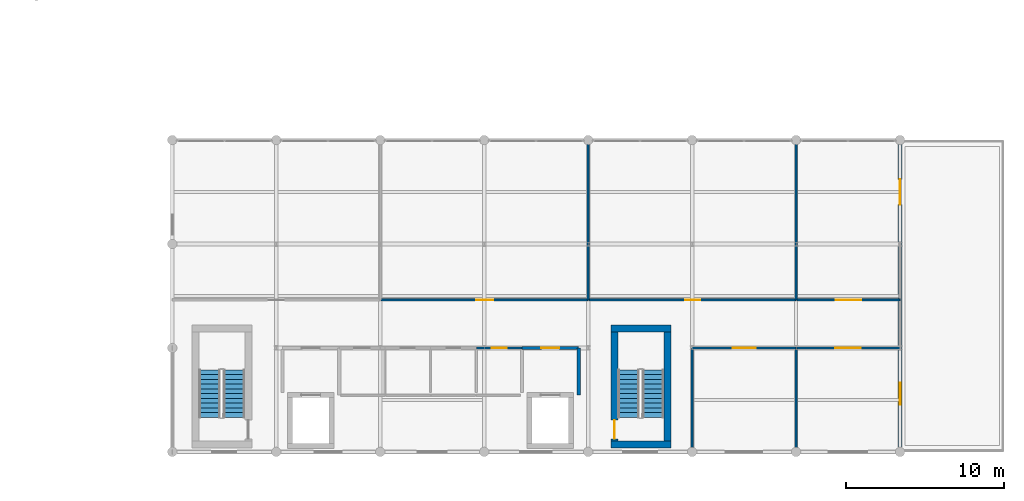
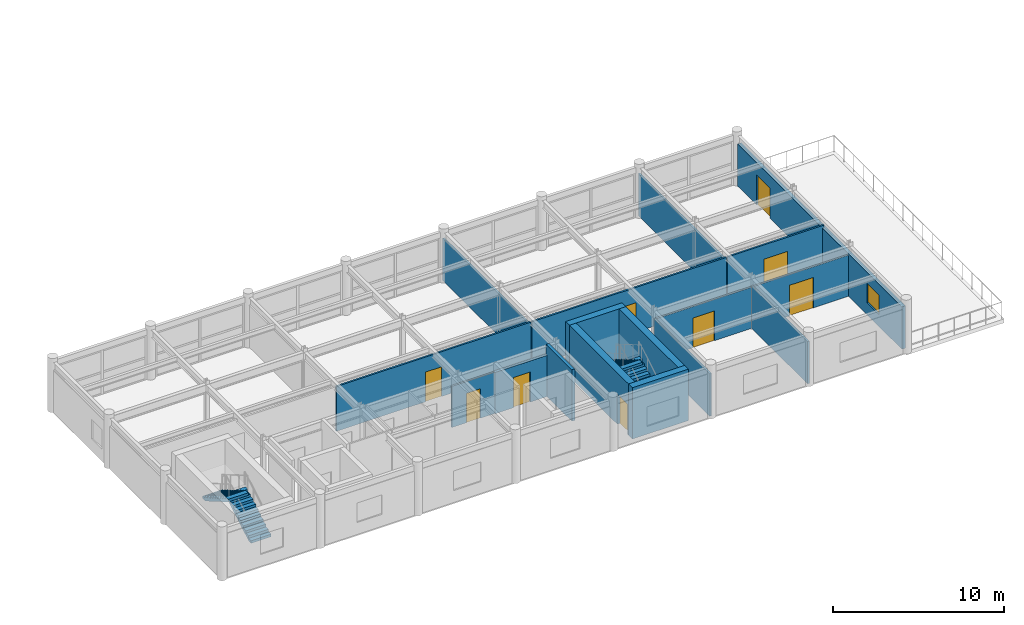
# One storey, part 26 of 28: 17 walls, 9 doors, 4 stair flights, 1 window, 10 openings, 2 elements without a shape of their own.
"""IFC4 building model written with IfcOpenShell, lengths in metres."""

from ifc_helpers import new_model, si_unit, direction, frame, frame_2d, origin, place, context, subcontext, project, spatial, polyline, rectangle, outline, extrude, material, layer, layer_set, type_object, element, fill, aggregate, save


model = new_model("IFC4")

# Units and contexts
model_context = context("Model", 3, precision=1e-05, world=origin(), true_north=direction((0.0, 1.0)))
body_context = subcontext(model_context, "Body", "Model", "MODEL_VIEW")
ifc_project = project(units=[si_unit("LENGTHUNIT", "METRE"), si_unit("AREAUNIT", "SQUARE_METRE"), si_unit("VOLUMEUNIT", "CUBIC_METRE"), si_unit("PLANEANGLEUNIT", "RADIAN"), si_unit("MASSUNIT", "GRAM", prefix="KILO")], contexts=[model_context])

# Site, building, storey
site_placement = place(None, origin())
site = spatial("IfcSite", under=ifc_project, at=site_placement, CompositionType="ELEMENT")
building_placement = place(site_placement, origin())
building = spatial("IfcBuilding", under=site, at=building_placement, Name="Karori Crest Natural Sciences Institute", CompositionType="ELEMENT")
storey_placement = place(building_placement, frame((0.0, 0.0, 34.300048828125)))
storey = spatial("IfcBuildingStorey", under=building, at=storey_placement, Name="L08", CompositionType="ELEMENT", Elevation=34.300048828125)

# Walls
ifc_material_1 = material(Name="Concrete 50 MPa", Category="concrete")
ifc_layer_1 = layer(ifc_material_1, 0.449951171875, Name="Concrete 50 MPa")
ifc_layer_set_1 = layer_set([ifc_layer_1], Name="Concrete 50 MPa")
wall_type_1 = type_object("IfcWallType", Name="IWT-01", PredefinedType="SHEAR", material=ifc_layer_set_1)
for number, where, z_axis, x_axis, name in (
    (1, (131.449951171875, 1.27490234375, 0.0), (0.0, 0.0, 1.0), (1.0, 0.0, 0.0), "Shear wall IW-0153"),
    (2, (131.449951171875, 8.625, 0.0), (0.0, 0.0, 1.0), (1.0, 0.0, 0.0), "Shear wall IW-0154"),
):
    element("IfcWall", number, at=place(storey_placement, frame(where, z_axis=z_axis, x_axis=x_axis)), inside=storey, type_object=wall_type_1, Name=name, PredefinedType="SHEAR", context=body_context, shape_type="SweptSolid", body=[
        extrude(rectangle(XDim=3.800048828125, YDim=0.449951171875, at=frame_2d((1.89990234375, 0.0))), origin(), (0.0, 0.0, 1.0), 3.669921875),
    ])

# Wall, opening, door
wall_1_placement = place(storey_placement, frame((131.675048828125, 1.501953125, 0.0), z_axis=(0.0, 0.0, 1.0), x_axis=(0.0, 1.0, 0.0)))
wall_1 = element("IfcWall", 3, at=wall_1_placement, inside=storey, type_object=wall_type_1, Name="Shear wall IW-0155", PredefinedType="SHEAR", context=body_context, shape_type="SweptSolid", body=[
    extrude(rectangle(XDim=6.89599609375, YDim=0.449951171875, at=frame_2d((3.447998046875, 0.0))), origin(), (0.0, 0.0, 1.0), 3.669921875),
])
opening_1_placement = place(wall_1_placement, frame((0.1201171875, 0.0, 0.0)))
opening_1 = element("IfcOpeningElement", 4, at=opening_1_placement, cuts=wall_1, Name="Opening ID-0039", PredefinedType="OPENING", context=body_context, shape_type="SweptSolid", body=[
    extrude(rectangle(XDim=1.199951171875, YDim=2.14990234375, at=frame_2d((0.60009765625, 1.074951171875))), frame((0.0, 0.23486328125, 0.0), z_axis=(0.0, -1.0, 0.0), x_axis=(1.0, 0.0, 0.0)), (0.0, 0.0, 1.0), 0.469970703125),
])
ifc_material_2 = material(Name="Stainless steel 316 and fire-rated timber", Category="steel")
door_type_1 = type_object("IfcDoorType", Name="IDT-01", OperationType="NOTDEFINED", PredefinedType="DOOR", material=ifc_material_2)
door_1_placement = place(opening_1_placement, origin())
door_1 = element("IfcDoor", 5, at=door_1_placement, inside=storey, type_object=door_type_1, Name="Stair ST-04 fire door ID-0039", OperationType="SINGLE_SWING_LEFT", OverallHeight=2.14990234375, OverallWidth=1.199951171875, PredefinedType="DOOR", context=body_context, shape_type="SweptSolid", body=[
    extrude(rectangle(XDim=1.199951171875, YDim=2.14990234375, at=frame_2d((0.60009765625, 1.074951171875))), frame((0.0, 0.02490234375, 0.0), z_axis=(0.0, -1.0, 0.0), x_axis=(1.0, 0.0, 0.0)), (0.0, 0.0, 1.0), 0.050048828125),
])
fill(opening_1, door_1)

# Wall
wall_2_placement = place(storey_placement, frame((135.02490234375, 1.501953125, 0.0), z_axis=(0.0, 0.0, 1.0), x_axis=(0.0, 1.0, 0.0)))
element("IfcWall", 6, at=wall_2_placement, inside=storey, type_object=wall_type_1, Name="Shear wall IW-0156", PredefinedType="SHEAR", context=body_context, shape_type="SweptSolid", body=[
    extrude(rectangle(XDim=6.89599609375, YDim=0.449951171875, at=frame_2d((3.447998046875, 0.0))), origin(), (0.0, 0.0, 1.0), 3.669921875),
])

# Wall, opening, door
ifc_material_3 = material(Name="Concrete 40 MPa", Category="concrete")
ifc_layer_2 = layer(ifc_material_3, 0.199951171875, Name="Concrete 40 MPa")
ifc_layer_set_2 = layer_set([ifc_layer_2], Name="Concrete 40 MPa")
wall_type_2 = type_object("IfcWallType", Name="IWT-04", PredefinedType="SOLIDWALL", material=ifc_layer_set_2)
wall_3_placement = place(storey_placement, frame((125.800048828125, 7.39990234375, 0.0), z_axis=(0.0, 0.0, 1.0), x_axis=(1.0, 0.0, 0.0)))
wall_3 = element("IfcWall", 7, at=wall_3_placement, inside=storey, type_object=wall_type_2, Name="Partition wall IW-0813", PredefinedType="SOLIDWALL", context=body_context, shape_type="SweptSolid", body=[
    extrude(rectangle(XDim=3.599853515625, YDim=0.199951171875, at=frame_2d((1.7998046875, 0.0))), origin(), (0.0, 0.0, 1.0), 2.94287109375),
])
opening_2_placement = place(wall_3_placement, frame((1.22509765625, 0.0, 0.0)))
opening_2 = element("IfcOpeningElement", 8, at=opening_2_placement, cuts=wall_3, Name="Opening ID-0188", PredefinedType="OPENING", context=body_context, shape_type="SweptSolid", body=[
    extrude(rectangle(XDim=1.14990234375, YDim=2.14990234375, at=frame_2d((0.574951171875, 1.074951171875))), frame((0.0, 0.10986328125, 0.0), z_axis=(0.0, -1.0, 0.0), x_axis=(1.0, 0.0, 0.0)), (0.0, 0.0, 1.0), 0.219970703125),
])
door_type_2 = type_object("IfcDoorType", Name="IDT-02", OperationType="NOTDEFINED", PredefinedType="DOOR", material=ifc_material_2)
door_2_placement = place(opening_2_placement, origin())
door_2 = element("IfcDoor", 9, at=door_2_placement, inside=storey, type_object=door_type_2, Name="Firefighting Lift Lobby East door ID-0188", OperationType="SINGLE_SWING_RIGHT", OverallHeight=2.14990234375, OverallWidth=1.14990234375, PredefinedType="DOOR", context=body_context, shape_type="SweptSolid", body=[
    extrude(rectangle(XDim=1.14990234375, YDim=2.14990234375, at=frame_2d((0.574951171875, 1.074951171875))), frame((0.0, 0.02490234375, 0.0), z_axis=(0.0, -1.0, 0.0), x_axis=(1.0, 0.0, 0.0)), (0.0, 0.0, 1.0), 0.050048828125),
])
fill(opening_2, door_2)

# Wall
wall_4_placement = place(storey_placement, frame((129.39990234375, 4.39990234375, 0.0), z_axis=(0.0, 0.0, 1.0), x_axis=(0.0, 1.0, 0.0)))
element("IfcWall", 10, at=wall_4_placement, inside=storey, type_object=wall_type_2, Name="Partition wall IW-0815", PredefinedType="SOLIDWALL", context=body_context, shape_type="SweptSolid", body=[
    extrude(rectangle(XDim=3.0, YDim=0.199951171875, at=frame_2d((1.5, 0.0))), origin(), (0.0, 0.0, 1.0), 3.669921875),
])

# Wall, opening, door
ifc_material_4 = material(Name="Write-up office acoustic partition")
ifc_layer_3 = layer(ifc_material_4, 0.1201171875, Name="Write-up office acoustic partition")
ifc_layer_set_3 = layer_set([ifc_layer_3], Name="Write-up office acoustic partition")
wall_type_3 = type_object("IfcWallType", Name="IWT-08", PredefinedType="PARTITIONING", material=ifc_layer_set_3)
wall_5_placement = place(storey_placement, frame((122.89990234375, 7.39990234375, 0.0), z_axis=(0.0, 0.0, 1.0), x_axis=(1.0, 0.0, 0.0)))
wall_5 = element("IfcWall", 11, at=wall_5_placement, inside=storey, type_object=wall_type_3, Name="Partition wall IW-0817", PredefinedType="PARTITIONING", context=body_context, shape_type="SweptSolid", body=[
    extrude(rectangle(XDim=2.898193359375, YDim=0.1201171875, at=frame_2d((1.44921875, 0.0))), origin(), (0.0, 0.0, 1.0), 2.94287109375),
])
opening_3_placement = place(wall_5_placement, frame((0.97412109375, 0.0, 0.0)))
opening_3 = element("IfcOpeningElement", 12, at=opening_3_placement, cuts=wall_5, Name="Opening ID-0189", PredefinedType="OPENING", context=body_context, shape_type="SweptSolid", body=[
    extrude(rectangle(XDim=0.949951171875, YDim=2.10009765625, at=frame_2d((0.47509765625, 1.050048828125))), frame((0.0, 0.070068359375, 0.0), z_axis=(0.0, -1.0, 0.0), x_axis=(1.0, 0.0, 0.0)), (0.0, 0.0, 1.0), 0.14013671875),
])
ifc_material_5 = material(Name="Anodised aluminium and acoustic timber", Category="wood")
door_type_3 = type_object("IfcDoorType", Name="IDT-08", OperationType="NOTDEFINED", PredefinedType="DOOR", material=ifc_material_5)
door_3_placement = place(opening_3_placement, origin())
door_3 = element("IfcDoor", 13, at=door_3_placement, inside=storey, type_object=door_type_3, Name="Communications Server Room door ID-0189", OperationType="SINGLE_SWING_LEFT", OverallHeight=2.10009765625, OverallWidth=0.949951171875, PredefinedType="DOOR", context=body_context, shape_type="SweptSolid", body=[
    extrude(rectangle(XDim=0.949951171875, YDim=2.10009765625, at=frame_2d((0.47509765625, 1.050048828125))), frame((0.0, 0.02490234375, 0.0), z_axis=(0.0, -1.0, 0.0), x_axis=(1.0, 0.0, 0.0)), (0.0, 0.0, 1.0), 0.050048828125),
])
fill(opening_3, door_3)

wall_6_placement = place(storey_placement, frame((136.60009765625, 7.39990234375, 0.0), z_axis=(0.0, 0.0, 1.0), x_axis=(1.0, 0.0, 0.0)))
wall_6 = element("IfcWall", 14, at=wall_6_placement, inside=storey, type_object=wall_type_3, Name="Partition wall IW-0827", PredefinedType="PARTITIONING", context=body_context, shape_type="SweptSolid", body=[
    extrude(rectangle(XDim=6.599853515625, YDim=0.1201171875, at=frame_2d((3.2998046875, 0.0))), origin(), (0.0, 0.0, 1.0), 2.94287109375),
])
opening_4_placement = place(wall_6_placement, frame((2.574951171875, 0.0, 0.0)))
opening_4 = element("IfcOpeningElement", 15, at=opening_4_placement, cuts=wall_6, Name="Opening ID-0193", PredefinedType="OPENING", context=body_context, shape_type="SweptSolid", body=[
    extrude(rectangle(XDim=1.449951171875, YDim=2.1201171875, at=frame_2d((0.72509765625, 1.06005859375))), frame((0.0, 0.070068359375, 0.0), z_axis=(0.0, -1.0, 0.0), x_axis=(1.0, 0.0, 0.0)), (0.0, 0.0, 1.0), 0.14013671875),
])
door_type_4 = type_object("IfcDoorType", Name="IDT-11", OperationType="DOUBLE_DOOR_SINGLE_SWING", PredefinedType="DOOR", material=ifc_material_5)
door_4_placement = place(opening_4_placement, origin())
door_4 = element("IfcDoor", 16, at=door_4_placement, inside=storey, type_object=door_type_4, Name="Seminar Room door ID-0193", OperationType="DOUBLE_DOOR_SINGLE_SWING", OverallHeight=2.1201171875, OverallWidth=1.449951171875, PredefinedType="DOOR", context=body_context, shape_type="SweptSolid", body=[
    extrude(rectangle(XDim=1.449951171875, YDim=2.1201171875, at=frame_2d((0.72509765625, 1.06005859375))), frame((0.0, 0.02490234375, 0.0), z_axis=(0.0, -1.0, 0.0), x_axis=(1.0, 0.0, 0.0)), (0.0, 0.0, 1.0), 0.050048828125),
])
fill(opening_4, door_4)

# Walls
wall_7_placement = place(storey_placement, frame((136.60009765625, 0.800048828125, 0.0), z_axis=(0.0, 0.0, 1.0), x_axis=(0.0, 1.0, 0.0)))
element("IfcWall", 17, at=wall_7_placement, inside=storey, type_object=wall_type_3, Name="Partition wall IW-0828", PredefinedType="PARTITIONING", context=body_context, shape_type="SweptSolid", body=[
    extrude(rectangle(XDim=6.537841796875, YDim=0.1201171875, at=frame_2d((3.26904296875, 0.0))), origin(), (0.0, 0.0, 1.0), 3.02197265625),
])
wall_8_placement = place(storey_placement, frame((143.199951171875, 0.800048828125, 0.0), z_axis=(0.0, 0.0, 1.0), x_axis=(0.0, 1.0, 0.0)))
element("IfcWall", 18, at=wall_8_placement, inside=storey, type_object=wall_type_3, Name="Partition wall IW-0829", PredefinedType="PARTITIONING", context=body_context, shape_type="SweptSolid", body=[
    extrude(rectangle(XDim=6.599853515625, YDim=0.1201171875, at=frame_2d((3.2998046875, 0.0))), origin(), (0.0, 0.0, 1.0), 3.02197265625),
])

# Wall, opening, door
wall_9_placement = place(storey_placement, frame((143.201904296875, 7.39990234375, 0.0), z_axis=(0.0, 0.0, 1.0), x_axis=(1.0, 0.0, 0.0)))
wall_9 = element("IfcWall", 19, at=wall_9_placement, inside=storey, type_object=wall_type_3, Name="Partition wall IW-0830", PredefinedType="PARTITIONING", context=body_context, shape_type="SweptSolid", body=[
    extrude(rectangle(XDim=6.59814453125, YDim=0.1201171875, at=frame_2d((3.299072265625, 0.0))), origin(), (0.0, 0.0, 1.0), 2.94287109375),
])
opening_5_placement = place(wall_9_placement, frame((2.4990234375, 0.0, 0.0)))
opening_5 = element("IfcOpeningElement", 20, at=opening_5_placement, cuts=wall_9, Name="Opening ID-0194", PredefinedType="OPENING", context=body_context, shape_type="SweptSolid", body=[
    extrude(rectangle(XDim=1.60009765625, YDim=2.179931640625, at=frame_2d((0.800048828125, 1.08984375))), frame((0.0, 0.070068359375, 0.0), z_axis=(0.0, -1.0, 0.0), x_axis=(1.0, 0.0, 0.0)), (0.0, 0.0, 1.0), 0.14013671875),
])
door_type_5 = type_object("IfcDoorType", Name="IDT-13", OperationType="DOUBLE_DOOR_SINGLE_SWING", PredefinedType="DOOR", material=ifc_material_5)
door_5_placement = place(opening_5_placement, origin())
door_5 = element("IfcDoor", 21, at=door_5_placement, inside=storey, type_object=door_type_5, Name="Research Library Reading Room door ID-0194", OperationType="DOUBLE_DOOR_SINGLE_SWING", OverallHeight=2.179931640625, OverallWidth=1.60009765625, PredefinedType="DOOR", context=body_context, shape_type="SweptSolid", body=[
    extrude(rectangle(XDim=1.60009765625, YDim=2.179931640625, at=frame_2d((0.800048828125, 1.08984375))), frame((0.0, 0.02490234375, 0.0), z_axis=(0.0, -1.0, 0.0), x_axis=(1.0, 0.0, 0.0)), (0.0, 0.0, 1.0), 0.050048828125),
])
fill(opening_5, door_5)

wall_10_placement = place(storey_placement, frame((116.862060546875, 10.449951171875, 0.0), z_axis=(0.0, 0.0, 1.0), x_axis=(1.0, 0.0, 0.0)))
wall_10 = element("IfcWall", 22, at=wall_10_placement, inside=storey, type_object=wall_type_3, Name="Partition wall IW-0833", PredefinedType="PARTITIONING", context=body_context, shape_type="SweptSolid", body=[
    extrude(rectangle(XDim=13.137939453125, YDim=0.1201171875, at=frame_2d((6.56884765625, 0.0))), origin(), (0.0, 0.0, 1.0), 3.196044921875),
])
opening_6_placement = place(wall_10_placement, frame((6.029052734375, 0.0, 0.0)))
opening_6 = element("IfcOpeningElement", 23, at=opening_6_placement, cuts=wall_10, Name="Opening ID-0196", PredefinedType="OPENING", context=body_context, shape_type="SweptSolid", body=[
    extrude(rectangle(XDim=1.080078125, YDim=2.1201171875, at=frame_2d((0.5400390625, 1.06005859375))), frame((0.0, 0.070068359375, 0.0), z_axis=(0.0, -1.0, 0.0), x_axis=(1.0, 0.0, 0.0)), (0.0, 0.0, 1.0), 0.14013671875),
])
door_type_6 = type_object("IfcDoorType", Name="IDT-12", OperationType="NOTDEFINED", PredefinedType="DOOR", material=ifc_material_5)
door_6_placement = place(opening_6_placement, origin())
door_6 = element("IfcDoor", 24, at=door_6_placement, inside=storey, type_object=door_type_6, Name="Marine Systems Studio door ID-0196", OperationType="SINGLE_SWING_RIGHT", OverallHeight=2.1201171875, OverallWidth=1.080078125, PredefinedType="DOOR", context=body_context, shape_type="SweptSolid", body=[
    extrude(rectangle(XDim=1.080078125, YDim=2.1201171875, at=frame_2d((0.5400390625, 1.06005859375))), frame((0.0, 0.02490234375, 0.0), z_axis=(0.0, -1.0, 0.0), x_axis=(1.0, 0.0, 0.0)), (0.0, 0.0, 1.0), 0.050048828125),
])
fill(opening_6, door_6)

# Wall
wall_11_placement = place(storey_placement, frame((130.0, 10.449951171875, 0.0), z_axis=(0.0, 0.0, 1.0), x_axis=(0.0, 1.0, 0.0)))
element("IfcWall", 25, at=wall_11_placement, inside=storey, type_object=wall_type_3, Name="Partition wall IW-0834", PredefinedType="PARTITIONING", context=body_context, shape_type="SweptSolid", body=[
    extrude(rectangle(XDim=10.150146484375, YDim=0.1201171875, at=frame_2d((5.0751953125, 0.0))), origin(), (0.0, 0.0, 1.0), 3.02197265625),
])

# Wall, opening, door
wall_12_placement = place(storey_placement, frame((130.06201171875, 10.449951171875, 0.0), z_axis=(0.0, 0.0, 1.0), x_axis=(1.0, 0.0, 0.0)))
wall_12 = element("IfcWall", 26, at=wall_12_placement, inside=storey, type_object=wall_type_3, Name="Partition wall IW-0835", PredefinedType="PARTITIONING", context=body_context, shape_type="SweptSolid", body=[
    extrude(rectangle(XDim=13.137939453125, YDim=0.1201171875, at=frame_2d((6.56884765625, 0.0))), origin(), (0.0, 0.0, 1.0), 3.196044921875),
])
opening_7_placement = place(wall_12_placement, frame((6.093994140625, 0.0, 0.0)))
opening_7 = element("IfcOpeningElement", 27, at=opening_7_placement, cuts=wall_12, Name="Opening ID-0197", PredefinedType="OPENING", context=body_context, shape_type="SweptSolid", body=[
    extrude(rectangle(XDim=0.949951171875, YDim=2.10009765625, at=frame_2d((0.47509765625, 1.050048828125))), frame((0.0, 0.070068359375, 0.0), z_axis=(0.0, -1.0, 0.0), x_axis=(1.0, 0.0, 0.0)), (0.0, 0.0, 1.0), 0.14013671875),
])
door_7_placement = place(opening_7_placement, origin())
door_7 = element("IfcDoor", 28, at=door_7_placement, inside=storey, type_object=door_type_3, Name="Quantitative Ecology Studio door ID-0197", OperationType="SINGLE_SWING_LEFT", OverallHeight=2.10009765625, OverallWidth=0.949951171875, PredefinedType="DOOR", context=body_context, shape_type="SweptSolid", body=[
    extrude(rectangle(XDim=0.949951171875, YDim=2.10009765625, at=frame_2d((0.47509765625, 1.050048828125))), frame((0.0, 0.02490234375, 0.0), z_axis=(0.0, -1.0, 0.0), x_axis=(1.0, 0.0, 0.0)), (0.0, 0.0, 1.0), 0.050048828125),
])
fill(opening_7, door_7)

# Wall
wall_13_placement = place(storey_placement, frame((143.199951171875, 10.449951171875, 0.0), z_axis=(0.0, 0.0, 1.0), x_axis=(0.0, 1.0, 0.0)))
element("IfcWall", 29, at=wall_13_placement, inside=storey, type_object=wall_type_3, Name="Partition wall IW-0836", PredefinedType="PARTITIONING", context=body_context, shape_type="SweptSolid", body=[
    extrude(rectangle(XDim=10.150146484375, YDim=0.1201171875, at=frame_2d((5.0751953125, 0.0))), origin(), (0.0, 0.0, 1.0), 3.02197265625),
])

# Wall, opening, door
wall_14_placement = place(storey_placement, frame((143.261962890625, 10.449951171875, 0.0), z_axis=(0.0, 0.0, 1.0), x_axis=(1.0, 0.0, 0.0)))
wall_14 = element("IfcWall", 30, at=wall_14_placement, inside=storey, type_object=wall_type_3, Name="Partition wall IW-0837", PredefinedType="PARTITIONING", context=body_context, shape_type="SweptSolid", body=[
    extrude(rectangle(XDim=6.5380859375, YDim=0.1201171875, at=frame_2d((3.26904296875, 0.0))), origin(), (0.0, 0.0, 1.0), 3.196044921875),
])
opening_8_placement = place(wall_14_placement, frame((2.468994140625, 0.0, 0.0)))
opening_8 = element("IfcOpeningElement", 31, at=opening_8_placement, cuts=wall_14, Name="Opening ID-0198", PredefinedType="OPENING", context=body_context, shape_type="SweptSolid", body=[
    extrude(rectangle(XDim=1.60009765625, YDim=2.179931640625, at=frame_2d((0.800048828125, 1.08984375))), frame((0.0, 0.070068359375, 0.0), z_axis=(0.0, -1.0, 0.0), x_axis=(1.0, 0.0, 0.0)), (0.0, 0.0, 1.0), 0.14013671875),
])
door_8_placement = place(opening_8_placement, origin())
door_8 = element("IfcDoor", 32, at=door_8_placement, inside=storey, type_object=door_type_5, Name="Seminar Room door ID-0198", OperationType="DOUBLE_DOOR_SINGLE_SWING", OverallHeight=2.179931640625, OverallWidth=1.60009765625, PredefinedType="DOOR", context=body_context, shape_type="SweptSolid", body=[
    extrude(rectangle(XDim=1.60009765625, YDim=2.179931640625, at=frame_2d((0.800048828125, 1.08984375))), frame((0.0, 0.02490234375, 0.0), z_axis=(0.0, -1.0, 0.0), x_axis=(1.0, 0.0, 0.0)), (0.0, 0.0, 1.0), 0.050048828125),
])
fill(opening_8, door_8)

# Wall, openings, door, window
ifc_material_6 = material(Name="Precast concrete 40 MPa", Category="concrete")
ifc_layer_4 = layer(ifc_material_6, 0.239990234375, Name="Precast concrete 40 MPa")
ifc_layer_set_4 = layer_set([ifc_layer_4], Name="Precast concrete 40 MPa")
wall_type_4 = type_object("IfcWallType", Name="WT-04", PredefinedType="SOLIDWALL", material=ifc_layer_set_4)
wall_15_placement = place(storey_placement, frame((149.800048828125, 20.302001953125, 0.0), z_axis=(0.0, 0.0, 1.0), x_axis=(0.0, -1.0, 0.0)))
wall_15 = element("IfcWall", 33, at=wall_15_placement, inside=storey, type_object=wall_type_4, Name="Exterior wall EW-0219", PredefinedType="SOLIDWALL", context=body_context, shape_type="SweptSolid", body=[
    extrude(rectangle(XDim=19.2041015625, YDim=0.239990234375, at=frame_2d((9.60205078125, 0.0))), origin(), (0.0, 0.0, 1.0), 3.02197265625),
])
opening_9_placement = place(wall_15_placement, frame((2.199951171875, 0.0, 0.0)))
opening_9 = element("IfcOpeningElement", 34, at=opening_9_placement, cuts=wall_15, Name="Opening ED-0029", PredefinedType="OPENING", context=body_context, shape_type="SweptSolid", body=[
    extrude(rectangle(XDim=1.60009765625, YDim=2.14990234375, at=frame_2d((0.800048828125, 1.074951171875))), frame((0.0, 0.1298828125, 0.0), z_axis=(0.0, -1.0, 0.0), x_axis=(1.0, 0.0, 0.0)), (0.0, 0.0, 1.0), 0.260009765625),
])
opening_10_placement = place(wall_15_placement, frame((15.10205078125, 0.0, 0.85009765625)))
opening_10 = element("IfcOpeningElement", 35, at=opening_10_placement, cuts=wall_15, Name="Opening WN-0214", PredefinedType="OPENING", context=body_context, shape_type="SweptSolid", body=[
    extrude(rectangle(XDim=1.39990234375, YDim=1.39990234375, at=frame_2d((0.699951171875, 0.699951171875))), frame((0.0, 0.1298828125, 0.0), z_axis=(0.0, -1.0, 0.0), x_axis=(1.0, 0.0, 0.0)), (0.0, 0.0, 1.0), 0.260009765625),
])
ifc_material_7 = material(Name="Anodised architectural aluminium 6063-T6", Category="aluminium")
door_type_7 = type_object("IfcDoorType", Name="EDT-05", OperationType="DOUBLE_DOOR_SINGLE_SWING", PredefinedType="DOOR", material=ifc_material_7)
door_9_placement = place(opening_9_placement, origin())
door_9 = element("IfcDoor", 36, at=door_9_placement, inside=storey, type_object=door_type_7, Name="L08 roof garden terrace door ED-0029", OperationType="DOUBLE_DOOR_SINGLE_SWING", OverallHeight=2.14990234375, OverallWidth=1.60009765625, PredefinedType="DOOR", context=body_context, shape_type="SweptSolid", body=[
    extrude(rectangle(XDim=1.60009765625, YDim=2.14990234375, at=frame_2d((0.800048828125, 1.074951171875))), frame((0.0, 0.02490234375, 0.0), z_axis=(0.0, -1.0, 0.0), x_axis=(1.0, 0.0, 0.0)), (0.0, 0.0, 1.0), 0.050048828125),
])
fill(opening_9, door_9)
ifc_material_8 = material(Name="Double low-E laminated glass", Category="glass")
window_type = type_object("IfcWindowType", Name="WNT-03", PartitioningType="SINGLE_PANEL", PredefinedType="WINDOW", material=ifc_material_8)
window_placement = place(opening_10_placement, origin())
window = element("IfcWindow", 37, at=window_placement, inside=storey, type_object=window_type, Name="Window WN-0214", OverallHeight=1.39990234375, OverallWidth=1.39990234375, PartitioningType="SINGLE_PANEL", PredefinedType="WINDOW", context=body_context, shape_type="SweptSolid", body=[
    extrude(rectangle(XDim=1.39990234375, YDim=1.39990234375, at=frame_2d((0.699951171875, 0.699951171875))), frame((0.0, 0.030029296875, 0.0), z_axis=(0.0, -1.0, 0.0), x_axis=(1.0, 0.0, 0.0)), (0.0, 0.0, 1.0), 0.06005859375),
])
fill(opening_10, window)

# Stair, stair flights
stair_type = type_object("IfcStairType", Name="STT-03", PredefinedType="HALF_TURN_STAIR", material=ifc_material_3)
stair_1_placement = place(storey_placement, origin())
stair_1 = element("IfcStair", 38, at=stair_1_placement, inside=storey, type_object=stair_type, Name="Protected stair ST-03-L08", PredefinedType="HALF_TURN_STAIR")
stair_flight_type = type_object("IfcStairFlightType", Name="SFT-03", PredefinedType="STRAIGHT", material=ifc_material_3)
stair_flight_1_placement = place(storey_placement, frame((107.52490234375, 3.0, 0.0), z_axis=(0.0, 0.0, 1.0), x_axis=(0.0, 1.0, 0.0)))
stair_flight_1 = element("IfcStairFlight", 39, at=stair_flight_1_placement, type_object=stair_flight_type, Name="ST-03-L08 flight 1", NumberOfRisers=11, NumberOfTreads=10, PredefinedType="STRAIGHT", RiserHeight=0.175, TreadLength=0.3, context=body_context, shape_type="SweptSolid", body=[
    extrude(outline(polyline([(0.0, 0.0), (0.0, 0.175048828125), (0.300048828125, 0.175048828125), (0.300048828125, 0.35009765625), (0.60009765625, 0.35009765625), (0.60009765625, 0.52490234375), (0.89990234375, 0.52490234375), (0.89990234375, 0.699951171875), (1.199951171875, 0.699951171875), (1.199951171875, 0.875), (1.5, 0.875), (1.5, 1.050048828125), (1.800048828125, 1.050048828125), (1.800048828125, 1.22509765625), (2.10009765625, 1.22509765625), (2.10009765625, 1.39990234375), (2.39990234375, 1.39990234375), (2.39990234375, 1.574951171875), (2.699951171875, 1.574951171875), (2.699951171875, 1.75), (3.0, 1.75), (3.0, 1.925048828125), (3.0, 1.56494140625), (0.3173828125, 0.0), (0.0, 0.0)])), frame((0.0, 0.675048828125, 0.0), z_axis=(0.0, -1.0, 0.0), x_axis=(1.0, 0.0, 0.0)), (0.0, 0.0, 1.0), 1.35009765625),
])
stair_flight_2_placement = place(storey_placement, frame((105.97509765625, 6.0, 1.925048828125), z_axis=(0.0, 0.0, 1.0), x_axis=(0.0, -1.0, 0.0)))
stair_flight_2 = element("IfcStairFlight", 40, at=stair_flight_2_placement, type_object=stair_flight_type, Name="ST-03-L08 flight 2", NumberOfRisers=11, NumberOfTreads=10, PredefinedType="STRAIGHT", RiserHeight=0.175, TreadLength=0.3, context=body_context, shape_type="SweptSolid", body=[
    extrude(outline(polyline([(0.0, 0.0), (0.0, 0.175048828125), (0.300048828125, 0.175048828125), (0.300048828125, 0.35009765625), (0.60009765625, 0.35009765625), (0.60009765625, 0.52490234375), (0.89990234375, 0.52490234375), (0.89990234375, 0.699951171875), (1.199951171875, 0.699951171875), (1.199951171875, 0.875), (1.5, 0.875), (1.5, 1.050048828125), (1.800048828125, 1.050048828125), (1.800048828125, 1.22509765625), (2.10009765625, 1.22509765625), (2.10009765625, 1.39990234375), (2.39990234375, 1.39990234375), (2.39990234375, 1.574951171875), (2.699951171875, 1.574951171875), (2.699951171875, 1.75), (3.0, 1.75), (3.0, 1.925048828125), (3.0, 1.56494140625), (0.3173828125, 0.0), (0.0, 0.0)])), frame((0.0, 0.675048828125, 0.0), z_axis=(0.0, -1.0, 0.0), x_axis=(1.0, 0.0, 0.0)), (0.0, 0.0, 1.0), 1.35009765625),
])
aggregate(stair_1, [stair_flight_1, stair_flight_2])

stair_2_placement = place(storey_placement, origin())
stair_2 = element("IfcStair", 41, at=stair_2_placement, inside=storey, type_object=stair_type, Name="Protected stair ST-04-L08", PredefinedType="HALF_TURN_STAIR")
stair_flight_3_placement = place(storey_placement, frame((134.125, 3.0, 0.0), z_axis=(0.0, 0.0, 1.0), x_axis=(0.0, 1.0, 0.0)))
stair_flight_3 = element("IfcStairFlight", 42, at=stair_flight_3_placement, type_object=stair_flight_type, Name="ST-04-L08 flight 1", NumberOfRisers=11, NumberOfTreads=10, PredefinedType="STRAIGHT", RiserHeight=0.175, TreadLength=0.3, context=body_context, shape_type="SweptSolid", body=[
    extrude(outline(polyline([(0.0, 0.0), (0.0, 0.175048828125), (0.300048828125, 0.175048828125), (0.300048828125, 0.35009765625), (0.60009765625, 0.35009765625), (0.60009765625, 0.52490234375), (0.89990234375, 0.52490234375), (0.89990234375, 0.699951171875), (1.199951171875, 0.699951171875), (1.199951171875, 0.875), (1.5, 0.875), (1.5, 1.050048828125), (1.800048828125, 1.050048828125), (1.800048828125, 1.22509765625), (2.10009765625, 1.22509765625), (2.10009765625, 1.39990234375), (2.39990234375, 1.39990234375), (2.39990234375, 1.574951171875), (2.699951171875, 1.574951171875), (2.699951171875, 1.75), (3.0, 1.75), (3.0, 1.925048828125), (3.0, 1.56494140625), (0.3173828125, 0.0), (0.0, 0.0)])), frame((0.0, 0.675048828125, 0.0), z_axis=(0.0, -1.0, 0.0), x_axis=(1.0, 0.0, 0.0)), (0.0, 0.0, 1.0), 1.35009765625),
])
stair_flight_4_placement = place(storey_placement, frame((132.574951171875, 6.0, 1.925048828125), z_axis=(0.0, 0.0, 1.0), x_axis=(0.0, -1.0, 0.0)))
stair_flight_4 = element("IfcStairFlight", 43, at=stair_flight_4_placement, type_object=stair_flight_type, Name="ST-04-L08 flight 2", NumberOfRisers=11, NumberOfTreads=10, PredefinedType="STRAIGHT", RiserHeight=0.175, TreadLength=0.3, context=body_context, shape_type="SweptSolid", body=[
    extrude(outline(polyline([(0.0, 0.0), (0.0, 0.175048828125), (0.300048828125, 0.175048828125), (0.300048828125, 0.35009765625), (0.60009765625, 0.35009765625), (0.60009765625, 0.52490234375), (0.89990234375, 0.52490234375), (0.89990234375, 0.699951171875), (1.199951171875, 0.699951171875), (1.199951171875, 0.875), (1.5, 0.875), (1.5, 1.050048828125), (1.800048828125, 1.050048828125), (1.800048828125, 1.22509765625), (2.10009765625, 1.22509765625), (2.10009765625, 1.39990234375), (2.39990234375, 1.39990234375), (2.39990234375, 1.574951171875), (2.699951171875, 1.574951171875), (2.699951171875, 1.75), (3.0, 1.75), (3.0, 1.925048828125), (3.0, 1.56494140625), (0.3173828125, 0.0), (0.0, 0.0)])), frame((0.0, 0.675048828125, 0.0), z_axis=(0.0, -1.0, 0.0), x_axis=(1.0, 0.0, 0.0)), (0.0, 0.0, 1.0), 1.35009765625),
])
aggregate(stair_2, [stair_flight_3, stair_flight_4])

save(model, "model.ifc")
